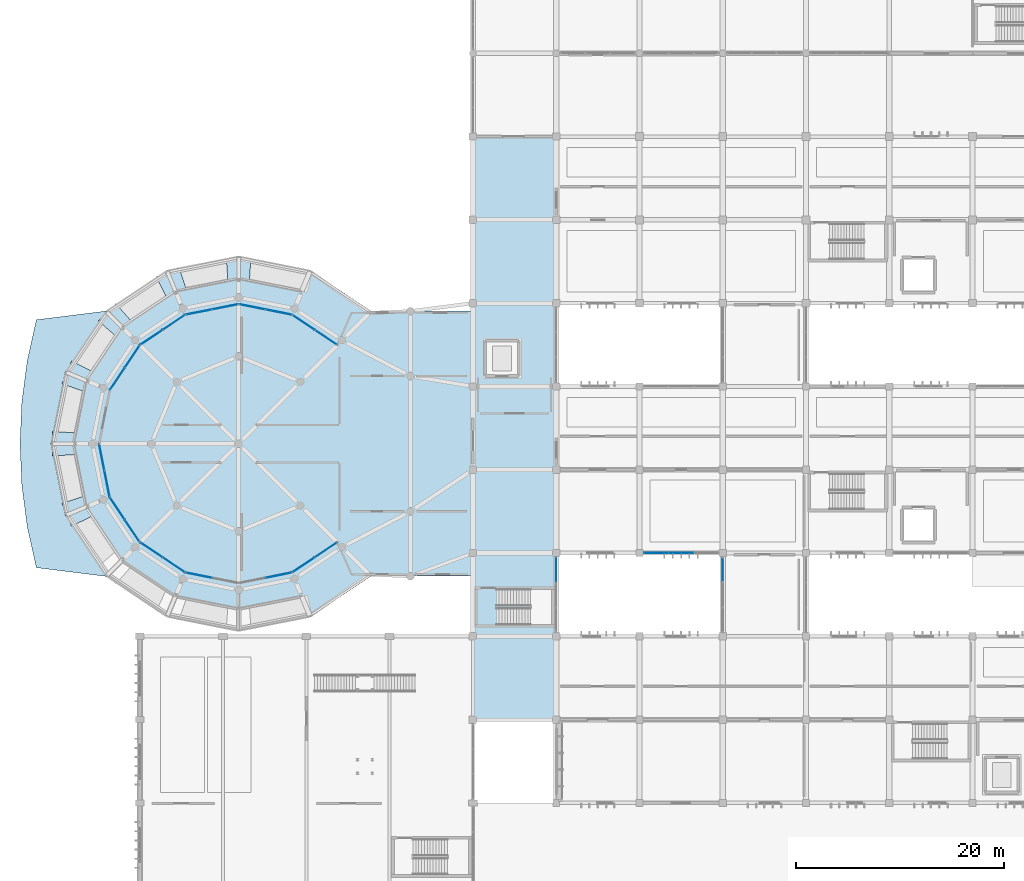
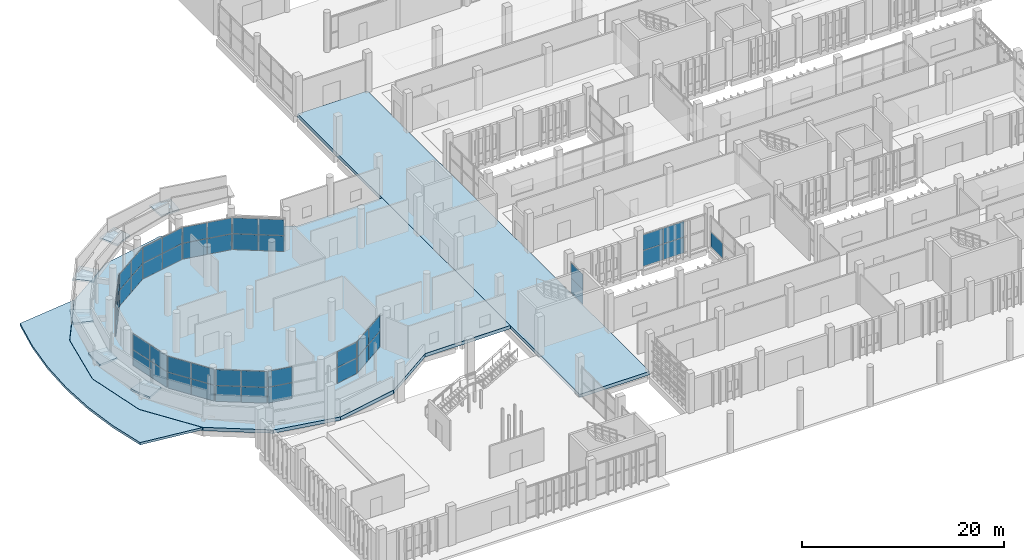
# One storey, part 76 of 117: 47 plates, 9 slabs, 15 elements without a shape of their own.
"""IFC4 building model written with IfcOpenShell, lengths in metres."""

from ifc_helpers import new_model, si_unit, direction, frame, origin, origin_2d, place, context, subcontext, project, spatial, polyline, rectangle, outline, extrude, material, layer, layer_set, type_object, element, aggregate, save


model = new_model("IFC4")

# Units and contexts
model_context = context("Model", 3, precision=1e-05, world=origin(), true_north=direction((0.0, 1.0)))
body_context = subcontext(model_context, "Body", "Model", "MODEL_VIEW")
ifc_project = project(units=[si_unit("LENGTHUNIT", "METRE"), si_unit("AREAUNIT", "SQUARE_METRE"), si_unit("VOLUMEUNIT", "CUBIC_METRE"), si_unit("PLANEANGLEUNIT", "RADIAN"), si_unit("MASSUNIT", "GRAM", prefix="KILO")], contexts=[model_context])

# Site, building, storey
site_placement = place(None, origin())
site = spatial("IfcSite", under=ifc_project, at=site_placement, CompositionType="ELEMENT")
building_placement = place(site_placement, origin())
building = spatial("IfcBuilding", under=site, at=building_placement, Name="Jelvoka-Kovrelna Polytechnic", CompositionType="ELEMENT")
storey_placement = place(building_placement, origin())
storey = spatial("IfcBuildingStorey", under=building, at=storey_placement, Name="L01", CompositionType="ELEMENT", Elevation=0.0)

# Curtain wall, plates
ifc_material_1 = material(Name="Anodised aluminium 6063-T6", Category="aluminium")
ifc_layer_1 = layer(ifc_material_1, 0.159912109375)
ifc_layer_set_1 = layer_set([ifc_layer_1], Name="Anodised aluminium 6063-T6")
curtain_wall_type_1 = type_object("IfcCurtainWallType", Name="CW_Recessed_A", PredefinedType="NOTDEFINED", material=ifc_layer_set_1)
curtain_wall_1_placement = place(storey_placement, origin())
curtain_wall_1 = element("IfcCurtainWall", 1, at=curtain_wall_1_placement, inside=storey, type_object=curtain_wall_type_1, Name="L01 glazed curtain wall 009", PredefinedType="NOTDEFINED")
ifc_material_2 = material(Name="Solar-control double glazing", Category="glass")
ifc_layer_2 = layer(ifc_material_2, 0.028076171875)
ifc_layer_set_2 = layer_set([ifc_layer_2], Name="Solar-control double glazing")
plate_type_1 = type_object("IfcPlateType", Name="Panel_GP-01", PredefinedType="CURTAIN_PANEL", material=ifc_layer_set_2)
plate_1_placement = place(storey_placement, frame((68.0, 32.0, 0.052001953125), z_axis=(0.0, 0.0, 1.0), x_axis=(-1.0, 0.0, 0.0)))
plate_1 = element("IfcPlate", 2, at=plate_1_placement, type_object=plate_type_1, Name="CW-01 panel 2.1", PredefinedType="CURTAIN_PANEL", context=body_context, shape_type="SweptSolid", body=[
    extrude(rectangle(XDim=2.356201171875, YDim=0.028076171875, at=origin_2d()), origin(), (0.0, 0.0, 1.0), 1.881103515625),
])
plate_2_placement = place(storey_placement, frame((68.0, 32.0, 1.976806640625), z_axis=(0.0, 0.0, 1.0), x_axis=(-1.0, 0.0, 0.0)))
plate_2 = element("IfcPlate", 3, at=plate_2_placement, type_object=plate_type_1, Name="CW-01 panel 2.2", PredefinedType="CURTAIN_PANEL", context=body_context, shape_type="SweptSolid", body=[
    extrude(rectangle(XDim=2.356201171875, YDim=0.028076171875, at=origin_2d()), origin(), (0.0, 0.0, 1.0), 1.881103515625),
])
plate_3_placement = place(storey_placement, frame((65.614990234375, 32.0, 0.052001953125), z_axis=(0.0, 0.0, 1.0), x_axis=(-1.0, 0.0, 0.0)))
plate_3 = element("IfcPlate", 4, at=plate_3_placement, type_object=plate_type_1, Name="CW-01 panel 3.1", PredefinedType="CURTAIN_PANEL", context=body_context, shape_type="SweptSolid", body=[
    extrude(rectangle(XDim=2.326171875, YDim=0.028076171875, at=origin_2d()), origin(), (0.0, 0.0, 1.0), 1.881103515625),
])
plate_4_placement = place(storey_placement, frame((65.614990234375, 32.0, 1.976806640625), z_axis=(0.0, 0.0, 1.0), x_axis=(-1.0, 0.0, 0.0)))
plate_4 = element("IfcPlate", 5, at=plate_4_placement, type_object=plate_type_1, Name="CW-01 panel 3.2", PredefinedType="CURTAIN_PANEL", context=body_context, shape_type="SweptSolid", body=[
    extrude(rectangle(XDim=2.326171875, YDim=0.028076171875, at=origin_2d()), origin(), (0.0, 0.0, 1.0), 1.881103515625),
])
aggregate(curtain_wall_1, [plate_1, plate_2, plate_3, plate_4])

# Curtain wall, plate
ifc_material_3 = material(Name="Anodised aluminium 6063-T6", Category="aluminium")
ifc_layer_3 = layer(ifc_material_3, 0.159912109375)
ifc_layer_set_3 = layer_set([ifc_layer_3], Name="Anodised aluminium 6063-T6")
curtain_wall_type_2 = type_object("IfcCurtainWallType", Name="CW_LinkBridge", PredefinedType="NOTDEFINED", material=ifc_layer_set_3)
curtain_wall_2_placement = place(storey_placement, origin())
curtain_wall_2 = element("IfcCurtainWall", 6, at=curtain_wall_2_placement, inside=storey, type_object=curtain_wall_type_2, Name="L01 glazed curtain wall 104", PredefinedType="NOTDEFINED")
ifc_material_4 = material(Name="Solar-control double glazing", Category="glass")
ifc_layer_4 = layer(ifc_material_4, 0.02392578125)
ifc_layer_set_4 = layer_set([ifc_layer_4], Name="Solar-control double glazing")
plate_type_2 = type_object("IfcPlateType", Name="Panel_GP-04", PredefinedType="CURTAIN_PANEL", material=ifc_layer_set_4)
plate_5_placement = place(storey_placement, frame((72.0, 30.385009765625, 0.052001953125), z_axis=(0.0, 0.0, 1.0), x_axis=(0.0, 1.0, 0.0)))
plate_5 = element("IfcPlate", 7, at=plate_5_placement, type_object=plate_type_2, Name="CW-04 panel 3.1", PredefinedType="CURTAIN_PANEL", context=body_context, shape_type="SweptSolid", body=[
    extrude(rectangle(XDim=2.326171875, YDim=0.02392578125, at=origin_2d()), origin(), (0.0, 0.0, 1.0), 1.80615234375),
])
aggregate(curtain_wall_2, [plate_5])

# Curtain wall, plates
ifc_material_5 = material(Name="Anodised aluminium 6063-T6", Category="aluminium")
ifc_layer_5 = layer(ifc_material_5, 0.179931640625)
ifc_layer_set_5 = layer_set([ifc_layer_5], Name="Anodised aluminium 6063-T6")
curtain_wall_type_3 = type_object("IfcCurtainWallType", Name="CW_Pavilion", PredefinedType="NOTDEFINED", material=ifc_layer_set_5)
curtain_wall_3_placement = place(storey_placement, origin())
curtain_wall_3 = element("IfcCurtainWall", 8, at=curtain_wall_3_placement, inside=storey, type_object=curtain_wall_type_3, Name="L01 glazed curtain wall 108", PredefinedType="NOTDEFINED")
ifc_material_6 = material(Name="Solar-control double glazing", Category="glass")
ifc_layer_6 = layer(ifc_material_6, 0.030029296875)
ifc_layer_set_6 = layer_set([ifc_layer_6], Name="Solar-control double glazing")
plate_type_3 = type_object("IfcPlateType", Name="Panel_GP-05", PredefinedType="CURTAIN_PANEL", material=ifc_layer_set_6)
plate_6_placement = place(storey_placement, frame((56.0, 30.3837890625, 0.056884765625), z_axis=(0.0, 0.0, 1.0), x_axis=(0.0, -1.0, 0.0)))
plate_6 = element("IfcPlate", 9, at=plate_6_placement, type_object=plate_type_3, Name="CW-05 panel 1.1", PredefinedType="CURTAIN_PANEL", context=body_context, shape_type="SweptSolid", body=[
    extrude(rectangle(XDim=2.318603515625, YDim=0.030029296875, at=origin_2d()), origin(), (0.0, 0.0, 1.0), 1.798583984375),
])
plate_7_placement = place(storey_placement, frame((56.0, 30.3837890625, 1.904541015625), z_axis=(0.0, 0.0, 1.0), x_axis=(0.0, -1.0, 0.0)))
plate_7 = element("IfcPlate", 10, at=plate_7_placement, type_object=plate_type_3, Name="CW-05 panel 1.2", PredefinedType="CURTAIN_PANEL", context=body_context, shape_type="SweptSolid", body=[
    extrude(rectangle(XDim=2.318603515625, YDim=0.030029296875, at=origin_2d()), origin(), (0.0, 0.0, 1.0), 1.798583984375),
])
aggregate(curtain_wall_3, [plate_6, plate_7])

curtain_wall_4_placement = place(storey_placement, origin())
curtain_wall_4 = element("IfcCurtainWall", 11, at=curtain_wall_4_placement, inside=storey, type_object=curtain_wall_type_3, Name="L01 glazed curtain wall 211", PredefinedType="NOTDEFINED")
plate_8_placement = place(storey_placement, frame((31.728271484375, 54.144775390625, 0.056884765625), z_axis=(0.0, 0.0, 1.0), x_axis=(0.83146132254, -0.555582639326, 0.0)))
plate_8 = element("IfcPlate", 12, at=plate_8_placement, type_object=plate_type_3, Name="CW-05 panel 1.1", PredefinedType="CURTAIN_PANEL", context=body_context, shape_type="SweptSolid", body=[
    extrude(rectangle(XDim=2.53271484375, YDim=0.030029296875, at=origin_2d()), origin(), (0.0, 0.0, 1.0), 1.8935546875),
])
plate_9_placement = place(storey_placement, frame((31.728271484375, 54.144775390625, 1.99951171875), z_axis=(0.0, 0.0, 1.0), x_axis=(0.83146132254, -0.555582639326, 0.0)))
plate_9 = element("IfcPlate", 13, at=plate_9_placement, type_object=plate_type_3, Name="CW-05 panel 1.2", PredefinedType="CURTAIN_PANEL", context=body_context, shape_type="SweptSolid", body=[
    extrude(rectangle(XDim=2.53271484375, YDim=0.030029296875, at=origin_2d()), origin(), (0.0, 0.0, 1.0), 1.8935546875),
])
plate_10_placement = place(storey_placement, frame((33.875, 52.71044921875, 0.056884765625), z_axis=(0.0, 0.0, 1.0), x_axis=(0.83146132254, -0.555582639326, 0.0)))
plate_10 = element("IfcPlate", 14, at=plate_10_placement, type_object=plate_type_3, Name="CW-05 panel 2.1", PredefinedType="CURTAIN_PANEL", context=body_context, shape_type="SweptSolid", body=[
    extrude(rectangle(XDim=2.53271484375, YDim=0.030029296875, at=origin_2d()), origin(), (0.0, 0.0, 1.0), 1.8935546875),
])
plate_11_placement = place(storey_placement, frame((33.875, 52.71044921875, 1.99951171875), z_axis=(0.0, 0.0, 1.0), x_axis=(0.83146132254, -0.555582639326, 0.0)))
plate_11 = element("IfcPlate", 15, at=plate_11_placement, type_object=plate_type_3, Name="CW-05 panel 2.2", PredefinedType="CURTAIN_PANEL", context=body_context, shape_type="SweptSolid", body=[
    extrude(rectangle(XDim=2.53271484375, YDim=0.030029296875, at=origin_2d()), origin(), (0.0, 0.0, 1.0), 1.8935546875),
])
aggregate(curtain_wall_4, [plate_8, plate_9, plate_10, plate_11])

curtain_wall_5_placement = place(storey_placement, origin())
curtain_wall_5 = element("IfcCurtainWall", 16, at=curtain_wall_5_placement, inside=storey, type_object=curtain_wall_type_3, Name="L01 glazed curtain wall 212", PredefinedType="NOTDEFINED")
plate_12_placement = place(storey_placement, frame((26.7978515625, 55.641845703125, 0.056884765625), z_axis=(0.0, 0.0, 1.0), x_axis=(0.980786108197, -0.195086160371, 0.0)))
plate_12 = element("IfcPlate", 17, at=plate_12_placement, type_object=plate_type_3, Name="CW-05 panel 1.1", PredefinedType="CURTAIN_PANEL", context=body_context, shape_type="SweptSolid", body=[
    extrude(rectangle(XDim=2.532958984375, YDim=0.030029296875, at=origin_2d()), origin(), (0.0, 0.0, 1.0), 1.8935546875),
])
plate_13_placement = place(storey_placement, frame((26.7978515625, 55.641845703125, 1.99951171875), z_axis=(0.0, 0.0, 1.0), x_axis=(0.980786108197, -0.195086160371, 0.0)))
plate_13 = element("IfcPlate", 18, at=plate_13_placement, type_object=plate_type_3, Name="CW-05 panel 1.2", PredefinedType="CURTAIN_PANEL", context=body_context, shape_type="SweptSolid", body=[
    extrude(rectangle(XDim=2.532958984375, YDim=0.030029296875, at=origin_2d()), origin(), (0.0, 0.0, 1.0), 1.8935546875),
])
plate_14_placement = place(storey_placement, frame((29.330078125, 55.13818359375, 0.056884765625), z_axis=(0.0, 0.0, 1.0), x_axis=(0.980786108197, -0.195086160371, 0.0)))
plate_14 = element("IfcPlate", 19, at=plate_14_placement, type_object=plate_type_3, Name="CW-05 panel 2.1", PredefinedType="CURTAIN_PANEL", context=body_context, shape_type="SweptSolid", body=[
    extrude(rectangle(XDim=2.532958984375, YDim=0.030029296875, at=origin_2d()), origin(), (0.0, 0.0, 1.0), 1.8935546875),
])
plate_15_placement = place(storey_placement, frame((29.330078125, 55.13818359375, 1.99951171875), z_axis=(0.0, 0.0, 1.0), x_axis=(0.980786108197, -0.195086160371, 0.0)))
plate_15 = element("IfcPlate", 20, at=plate_15_placement, type_object=plate_type_3, Name="CW-05 panel 2.2", PredefinedType="CURTAIN_PANEL", context=body_context, shape_type="SweptSolid", body=[
    extrude(rectangle(XDim=2.532958984375, YDim=0.030029296875, at=origin_2d()), origin(), (0.0, 0.0, 1.0), 1.8935546875),
])
aggregate(curtain_wall_5, [plate_12, plate_13, plate_14, plate_15])

curtain_wall_6_placement = place(storey_placement, origin())
curtain_wall_6 = element("IfcCurtainWall", 21, at=curtain_wall_6_placement, inside=storey, type_object=curtain_wall_type_3, Name="L01 glazed curtain wall 213", PredefinedType="NOTDEFINED")
plate_16_placement = place(storey_placement, frame((21.669921875, 55.13818359375, 0.056884765625), z_axis=(0.0, 0.0, 1.0), x_axis=(0.980786108197, 0.195086160371, 0.0)))
plate_16 = element("IfcPlate", 22, at=plate_16_placement, type_object=plate_type_3, Name="CW-05 panel 1.1", PredefinedType="CURTAIN_PANEL", context=body_context, shape_type="SweptSolid", body=[
    extrude(rectangle(XDim=2.532958984375, YDim=0.030029296875, at=origin_2d()), origin(), (0.0, 0.0, 1.0), 1.8935546875),
])
plate_17_placement = place(storey_placement, frame((21.669921875, 55.13818359375, 1.99951171875), z_axis=(0.0, 0.0, 1.0), x_axis=(0.980786108197, 0.195086160371, 0.0)))
plate_17 = element("IfcPlate", 23, at=plate_17_placement, type_object=plate_type_3, Name="CW-05 panel 1.2", PredefinedType="CURTAIN_PANEL", context=body_context, shape_type="SweptSolid", body=[
    extrude(rectangle(XDim=2.532958984375, YDim=0.030029296875, at=origin_2d()), origin(), (0.0, 0.0, 1.0), 1.8935546875),
])
plate_18_placement = place(storey_placement, frame((24.2021484375, 55.641845703125, 0.056884765625), z_axis=(0.0, 0.0, 1.0), x_axis=(0.980786108197, 0.195086160371, 0.0)))
plate_18 = element("IfcPlate", 24, at=plate_18_placement, type_object=plate_type_3, Name="CW-05 panel 2.1", PredefinedType="CURTAIN_PANEL", context=body_context, shape_type="SweptSolid", body=[
    extrude(rectangle(XDim=2.532958984375, YDim=0.030029296875, at=origin_2d()), origin(), (0.0, 0.0, 1.0), 1.8935546875),
])
plate_19_placement = place(storey_placement, frame((24.2021484375, 55.641845703125, 1.99951171875), z_axis=(0.0, 0.0, 1.0), x_axis=(0.980786108197, 0.195086160371, 0.0)))
plate_19 = element("IfcPlate", 25, at=plate_19_placement, type_object=plate_type_3, Name="CW-05 panel 2.2", PredefinedType="CURTAIN_PANEL", context=body_context, shape_type="SweptSolid", body=[
    extrude(rectangle(XDim=2.532958984375, YDim=0.030029296875, at=origin_2d()), origin(), (0.0, 0.0, 1.0), 1.8935546875),
])
aggregate(curtain_wall_6, [plate_16, plate_17, plate_18, plate_19])

curtain_wall_7_placement = place(storey_placement, origin())
curtain_wall_7 = element("IfcCurtainWall", 26, at=curtain_wall_7_placement, inside=storey, type_object=curtain_wall_type_3, Name="L01 glazed curtain wall 214", PredefinedType="NOTDEFINED")
plate_20_placement = place(storey_placement, frame((17.125, 52.71044921875, 0.056884765625), z_axis=(0.0, 0.0, 1.0), x_axis=(0.83146132254, 0.555582639326, 0.0)))
plate_20 = element("IfcPlate", 27, at=plate_20_placement, type_object=plate_type_3, Name="CW-05 panel 1.1", PredefinedType="CURTAIN_PANEL", context=body_context, shape_type="SweptSolid", body=[
    extrude(rectangle(XDim=2.53271484375, YDim=0.030029296875, at=origin_2d()), origin(), (0.0, 0.0, 1.0), 1.8935546875),
])
plate_21_placement = place(storey_placement, frame((17.125, 52.71044921875, 1.99951171875), z_axis=(0.0, 0.0, 1.0), x_axis=(0.83146132254, 0.555582639326, 0.0)))
plate_21 = element("IfcPlate", 28, at=plate_21_placement, type_object=plate_type_3, Name="CW-05 panel 1.2", PredefinedType="CURTAIN_PANEL", context=body_context, shape_type="SweptSolid", body=[
    extrude(rectangle(XDim=2.53271484375, YDim=0.030029296875, at=origin_2d()), origin(), (0.0, 0.0, 1.0), 1.8935546875),
])
plate_22_placement = place(storey_placement, frame((19.271728515625, 54.144775390625, 0.056884765625), z_axis=(0.0, 0.0, 1.0), x_axis=(0.83146132254, 0.555582639326, 0.0)))
plate_22 = element("IfcPlate", 29, at=plate_22_placement, type_object=plate_type_3, Name="CW-05 panel 2.1", PredefinedType="CURTAIN_PANEL", context=body_context, shape_type="SweptSolid", body=[
    extrude(rectangle(XDim=2.53271484375, YDim=0.030029296875, at=origin_2d()), origin(), (0.0, 0.0, 1.0), 1.8935546875),
])
plate_23_placement = place(storey_placement, frame((19.271728515625, 54.144775390625, 1.99951171875), z_axis=(0.0, 0.0, 1.0), x_axis=(0.83146132254, 0.555582639326, 0.0)))
plate_23 = element("IfcPlate", 30, at=plate_23_placement, type_object=plate_type_3, Name="CW-05 panel 2.2", PredefinedType="CURTAIN_PANEL", context=body_context, shape_type="SweptSolid", body=[
    extrude(rectangle(XDim=2.53271484375, YDim=0.030029296875, at=origin_2d()), origin(), (0.0, 0.0, 1.0), 1.8935546875),
])
aggregate(curtain_wall_7, [plate_20, plate_21, plate_22, plate_23])

curtain_wall_8_placement = place(storey_placement, origin())
curtain_wall_8 = element("IfcCurtainWall", 31, at=curtain_wall_8_placement, inside=storey, type_object=curtain_wall_type_3, Name="L01 glazed curtain wall 215", PredefinedType="NOTDEFINED")
plate_24_placement = place(storey_placement, frame((13.855224609375, 48.728271484375, 0.056884765625), z_axis=(0.0, 0.0, 1.0), x_axis=(0.555582639326, 0.83146132254, 0.0)))
plate_24 = element("IfcPlate", 32, at=plate_24_placement, type_object=plate_type_3, Name="CW-05 panel 1.1", PredefinedType="CURTAIN_PANEL", context=body_context, shape_type="SweptSolid", body=[
    extrude(rectangle(XDim=2.53271484375, YDim=0.030029296875, at=origin_2d()), origin(), (0.0, 0.0, 1.0), 1.8935546875),
])
plate_25_placement = place(storey_placement, frame((13.855224609375, 48.728271484375, 1.99951171875), z_axis=(0.0, 0.0, 1.0), x_axis=(0.555582639326, 0.83146132254, 0.0)))
plate_25 = element("IfcPlate", 33, at=plate_25_placement, type_object=plate_type_3, Name="CW-05 panel 1.2", PredefinedType="CURTAIN_PANEL", context=body_context, shape_type="SweptSolid", body=[
    extrude(rectangle(XDim=2.53271484375, YDim=0.030029296875, at=origin_2d()), origin(), (0.0, 0.0, 1.0), 1.8935546875),
])
plate_26_placement = place(storey_placement, frame((15.28955078125, 50.875, 0.056884765625), z_axis=(0.0, 0.0, 1.0), x_axis=(0.555582639326, 0.83146132254, 0.0)))
plate_26 = element("IfcPlate", 34, at=plate_26_placement, type_object=plate_type_3, Name="CW-05 panel 2.1", PredefinedType="CURTAIN_PANEL", context=body_context, shape_type="SweptSolid", body=[
    extrude(rectangle(XDim=2.53271484375, YDim=0.030029296875, at=origin_2d()), origin(), (0.0, 0.0, 1.0), 1.8935546875),
])
plate_27_placement = place(storey_placement, frame((15.28955078125, 50.875, 1.99951171875), z_axis=(0.0, 0.0, 1.0), x_axis=(0.555582639326, 0.83146132254, 0.0)))
plate_27 = element("IfcPlate", 35, at=plate_27_placement, type_object=plate_type_3, Name="CW-05 panel 2.2", PredefinedType="CURTAIN_PANEL", context=body_context, shape_type="SweptSolid", body=[
    extrude(rectangle(XDim=2.53271484375, YDim=0.030029296875, at=origin_2d()), origin(), (0.0, 0.0, 1.0), 1.8935546875),
])
aggregate(curtain_wall_8, [plate_24, plate_25, plate_26, plate_27])

curtain_wall_9_placement = place(storey_placement, origin())
curtain_wall_9 = element("IfcCurtainWall", 36, at=curtain_wall_9_placement, inside=storey, type_object=curtain_wall_type_3, Name="L01 glazed curtain wall 216", PredefinedType="NOTDEFINED")
plate_28_placement = place(storey_placement, frame((12.86181640625, 38.669921875, 0.056884765625), z_axis=(0.0, 0.0, 1.0), x_axis=(-0.195086160371, 0.980786108197, 0.0)))
plate_28 = element("IfcPlate", 37, at=plate_28_placement, type_object=plate_type_3, Name="CW-05 panel 1.1", PredefinedType="CURTAIN_PANEL", context=body_context, shape_type="SweptSolid", body=[
    extrude(rectangle(XDim=2.532958984375, YDim=0.030029296875, at=origin_2d()), origin(), (0.0, 0.0, 1.0), 1.8935546875),
])
plate_29_placement = place(storey_placement, frame((12.86181640625, 38.669921875, 1.99951171875), z_axis=(0.0, 0.0, 1.0), x_axis=(-0.195086160371, 0.980786108197, 0.0)))
plate_29 = element("IfcPlate", 38, at=plate_29_placement, type_object=plate_type_3, Name="CW-05 panel 1.2", PredefinedType="CURTAIN_PANEL", context=body_context, shape_type="SweptSolid", body=[
    extrude(rectangle(XDim=2.532958984375, YDim=0.030029296875, at=origin_2d()), origin(), (0.0, 0.0, 1.0), 1.8935546875),
])
plate_30_placement = place(storey_placement, frame((12.358154296875, 41.2021484375, 0.056884765625), z_axis=(0.0, 0.0, 1.0), x_axis=(-0.195086160371, 0.980786108197, 0.0)))
plate_30 = element("IfcPlate", 39, at=plate_30_placement, type_object=plate_type_3, Name="CW-05 panel 2.1", PredefinedType="CURTAIN_PANEL", context=body_context, shape_type="SweptSolid", body=[
    extrude(rectangle(XDim=2.532958984375, YDim=0.030029296875, at=origin_2d()), origin(), (0.0, 0.0, 1.0), 1.8935546875),
])
plate_31_placement = place(storey_placement, frame((12.358154296875, 41.2021484375, 1.99951171875), z_axis=(0.0, 0.0, 1.0), x_axis=(-0.195086160371, 0.980786108197, 0.0)))
plate_31 = element("IfcPlate", 40, at=plate_31_placement, type_object=plate_type_3, Name="CW-05 panel 2.2", PredefinedType="CURTAIN_PANEL", context=body_context, shape_type="SweptSolid", body=[
    extrude(rectangle(XDim=2.532958984375, YDim=0.030029296875, at=origin_2d()), origin(), (0.0, 0.0, 1.0), 1.8935546875),
])
aggregate(curtain_wall_9, [plate_28, plate_29, plate_30, plate_31])

curtain_wall_10_placement = place(storey_placement, origin())
curtain_wall_10 = element("IfcCurtainWall", 41, at=curtain_wall_10_placement, inside=storey, type_object=curtain_wall_type_3, Name="L01 glazed curtain wall 217", PredefinedType="NOTDEFINED")
plate_32_placement = place(storey_placement, frame((15.28955078125, 34.125, 0.056884765625), z_axis=(0.0, 0.0, 1.0), x_axis=(-0.555582639326, 0.83146132254, 0.0)))
plate_32 = element("IfcPlate", 42, at=plate_32_placement, type_object=plate_type_3, Name="CW-05 panel 1.1", PredefinedType="CURTAIN_PANEL", context=body_context, shape_type="SweptSolid", body=[
    extrude(rectangle(XDim=2.53271484375, YDim=0.030029296875, at=origin_2d()), origin(), (0.0, 0.0, 1.0), 1.8935546875),
])
plate_33_placement = place(storey_placement, frame((15.28955078125, 34.125, 1.99951171875), z_axis=(0.0, 0.0, 1.0), x_axis=(-0.555582639326, 0.83146132254, 0.0)))
plate_33 = element("IfcPlate", 43, at=plate_33_placement, type_object=plate_type_3, Name="CW-05 panel 1.2", PredefinedType="CURTAIN_PANEL", context=body_context, shape_type="SweptSolid", body=[
    extrude(rectangle(XDim=2.53271484375, YDim=0.030029296875, at=origin_2d()), origin(), (0.0, 0.0, 1.0), 1.8935546875),
])
plate_34_placement = place(storey_placement, frame((13.855224609375, 36.271728515625, 0.056884765625), z_axis=(0.0, 0.0, 1.0), x_axis=(-0.555582639326, 0.83146132254, 0.0)))
plate_34 = element("IfcPlate", 44, at=plate_34_placement, type_object=plate_type_3, Name="CW-05 panel 2.1", PredefinedType="CURTAIN_PANEL", context=body_context, shape_type="SweptSolid", body=[
    extrude(rectangle(XDim=2.53271484375, YDim=0.030029296875, at=origin_2d()), origin(), (0.0, 0.0, 1.0), 1.8935546875),
])
plate_35_placement = place(storey_placement, frame((13.855224609375, 36.271728515625, 1.99951171875), z_axis=(0.0, 0.0, 1.0), x_axis=(-0.555582639326, 0.83146132254, 0.0)))
plate_35 = element("IfcPlate", 45, at=plate_35_placement, type_object=plate_type_3, Name="CW-05 panel 2.2", PredefinedType="CURTAIN_PANEL", context=body_context, shape_type="SweptSolid", body=[
    extrude(rectangle(XDim=2.53271484375, YDim=0.030029296875, at=origin_2d()), origin(), (0.0, 0.0, 1.0), 1.8935546875),
])
aggregate(curtain_wall_10, [plate_32, plate_33, plate_34, plate_35])

curtain_wall_11_placement = place(storey_placement, origin())
curtain_wall_11 = element("IfcCurtainWall", 46, at=curtain_wall_11_placement, inside=storey, type_object=curtain_wall_type_3, Name="L01 glazed curtain wall 218", PredefinedType="NOTDEFINED")
plate_36_placement = place(storey_placement, frame((19.271728515625, 30.855224609375, 0.056884765625), z_axis=(0.0, 0.0, 1.0), x_axis=(-0.83146132254, 0.555582639326, 0.0)))
plate_36 = element("IfcPlate", 47, at=plate_36_placement, type_object=plate_type_3, Name="CW-05 panel 1.1", PredefinedType="CURTAIN_PANEL", context=body_context, shape_type="SweptSolid", body=[
    extrude(rectangle(XDim=2.53271484375, YDim=0.030029296875, at=origin_2d()), origin(), (0.0, 0.0, 1.0), 1.8935546875),
])
plate_37_placement = place(storey_placement, frame((19.271728515625, 30.855224609375, 1.99951171875), z_axis=(0.0, 0.0, 1.0), x_axis=(-0.83146132254, 0.555582639326, 0.0)))
plate_37 = element("IfcPlate", 48, at=plate_37_placement, type_object=plate_type_3, Name="CW-05 panel 1.2", PredefinedType="CURTAIN_PANEL", context=body_context, shape_type="SweptSolid", body=[
    extrude(rectangle(XDim=2.53271484375, YDim=0.030029296875, at=origin_2d()), origin(), (0.0, 0.0, 1.0), 1.8935546875),
])
plate_38_placement = place(storey_placement, frame((17.125, 32.28955078125, 0.056884765625), z_axis=(0.0, 0.0, 1.0), x_axis=(-0.83146132254, 0.555582639326, 0.0)))
plate_38 = element("IfcPlate", 49, at=plate_38_placement, type_object=plate_type_3, Name="CW-05 panel 2.1", PredefinedType="CURTAIN_PANEL", context=body_context, shape_type="SweptSolid", body=[
    extrude(rectangle(XDim=2.53271484375, YDim=0.030029296875, at=origin_2d()), origin(), (0.0, 0.0, 1.0), 1.8935546875),
])
plate_39_placement = place(storey_placement, frame((17.125, 32.28955078125, 1.99951171875), z_axis=(0.0, 0.0, 1.0), x_axis=(-0.83146132254, 0.555582639326, 0.0)))
plate_39 = element("IfcPlate", 50, at=plate_39_placement, type_object=plate_type_3, Name="CW-05 panel 2.2", PredefinedType="CURTAIN_PANEL", context=body_context, shape_type="SweptSolid", body=[
    extrude(rectangle(XDim=2.53271484375, YDim=0.030029296875, at=origin_2d()), origin(), (0.0, 0.0, 1.0), 1.8935546875),
])
aggregate(curtain_wall_11, [plate_36, plate_37, plate_38, plate_39])

curtain_wall_12_placement = place(storey_placement, origin())
curtain_wall_12 = element("IfcCurtainWall", 51, at=curtain_wall_12_placement, inside=storey, type_object=curtain_wall_type_3, Name="L01 glazed curtain wall 219", PredefinedType="NOTDEFINED")
plate_40_placement = place(storey_placement, frame((21.669921875, 29.86181640625, 0.056884765625), z_axis=(0.0, 0.0, 1.0), x_axis=(-0.980786108197, 0.195086160371, 0.0)))
plate_40 = element("IfcPlate", 52, at=plate_40_placement, type_object=plate_type_3, Name="CW-05 panel 2.1", PredefinedType="CURTAIN_PANEL", context=body_context, shape_type="SweptSolid", body=[
    extrude(rectangle(XDim=2.532958984375, YDim=0.030029296875, at=origin_2d()), origin(), (0.0, 0.0, 1.0), 1.8935546875),
])
plate_41_placement = place(storey_placement, frame((21.669921875, 29.86181640625, 1.99951171875), z_axis=(0.0, 0.0, 1.0), x_axis=(-0.980786108197, 0.195086160371, 0.0)))
plate_41 = element("IfcPlate", 53, at=plate_41_placement, type_object=plate_type_3, Name="CW-05 panel 2.2", PredefinedType="CURTAIN_PANEL", context=body_context, shape_type="SweptSolid", body=[
    extrude(rectangle(XDim=2.532958984375, YDim=0.030029296875, at=origin_2d()), origin(), (0.0, 0.0, 1.0), 1.8935546875),
])
aggregate(curtain_wall_12, [plate_40, plate_41])

curtain_wall_13_placement = place(storey_placement, origin())
curtain_wall_13 = element("IfcCurtainWall", 54, at=curtain_wall_13_placement, inside=storey, type_object=curtain_wall_type_3, Name="L01 glazed curtain wall 220", PredefinedType="NOTDEFINED")
plate_42_placement = place(storey_placement, frame((29.330078125, 29.86181640625, 0.056884765625), z_axis=(0.0, 0.0, 1.0), x_axis=(-0.980786108197, -0.195086160371, 0.0)))
plate_42 = element("IfcPlate", 55, at=plate_42_placement, type_object=plate_type_3, Name="CW-05 panel 1.1", PredefinedType="CURTAIN_PANEL", context=body_context, shape_type="SweptSolid", body=[
    extrude(rectangle(XDim=2.532958984375, YDim=0.030029296875, at=origin_2d()), origin(), (0.0, 0.0, 1.0), 1.8935546875),
])
plate_43_placement = place(storey_placement, frame((29.330078125, 29.86181640625, 1.99951171875), z_axis=(0.0, 0.0, 1.0), x_axis=(-0.980786108197, -0.195086160371, 0.0)))
plate_43 = element("IfcPlate", 56, at=plate_43_placement, type_object=plate_type_3, Name="CW-05 panel 1.2", PredefinedType="CURTAIN_PANEL", context=body_context, shape_type="SweptSolid", body=[
    extrude(rectangle(XDim=2.532958984375, YDim=0.030029296875, at=origin_2d()), origin(), (0.0, 0.0, 1.0), 1.8935546875),
])
aggregate(curtain_wall_13, [plate_42, plate_43])

curtain_wall_14_placement = place(storey_placement, origin())
curtain_wall_14 = element("IfcCurtainWall", 57, at=curtain_wall_14_placement, inside=storey, type_object=curtain_wall_type_3, Name="L01 glazed curtain wall 221", PredefinedType="NOTDEFINED")
plate_44_placement = place(storey_placement, frame((33.875, 32.28955078125, 0.056884765625), z_axis=(0.0, 0.0, 1.0), x_axis=(-0.83146132254, -0.555582639326, 0.0)))
plate_44 = element("IfcPlate", 58, at=plate_44_placement, type_object=plate_type_3, Name="CW-05 panel 1.1", PredefinedType="CURTAIN_PANEL", context=body_context, shape_type="SweptSolid", body=[
    extrude(rectangle(XDim=2.53271484375, YDim=0.030029296875, at=origin_2d()), origin(), (0.0, 0.0, 1.0), 1.8935546875),
])
plate_45_placement = place(storey_placement, frame((33.875, 32.28955078125, 1.99951171875), z_axis=(0.0, 0.0, 1.0), x_axis=(-0.83146132254, -0.555582639326, 0.0)))
plate_45 = element("IfcPlate", 59, at=plate_45_placement, type_object=plate_type_3, Name="CW-05 panel 1.2", PredefinedType="CURTAIN_PANEL", context=body_context, shape_type="SweptSolid", body=[
    extrude(rectangle(XDim=2.53271484375, YDim=0.030029296875, at=origin_2d()), origin(), (0.0, 0.0, 1.0), 1.8935546875),
])
plate_46_placement = place(storey_placement, frame((31.728271484375, 30.855224609375, 0.056884765625), z_axis=(0.0, 0.0, 1.0), x_axis=(-0.83146132254, -0.555582639326, 0.0)))
plate_46 = element("IfcPlate", 60, at=plate_46_placement, type_object=plate_type_3, Name="CW-05 panel 2.1", PredefinedType="CURTAIN_PANEL", context=body_context, shape_type="SweptSolid", body=[
    extrude(rectangle(XDim=2.53271484375, YDim=0.030029296875, at=origin_2d()), origin(), (0.0, 0.0, 1.0), 1.8935546875),
])
plate_47_placement = place(storey_placement, frame((31.728271484375, 30.855224609375, 1.99951171875), z_axis=(0.0, 0.0, 1.0), x_axis=(-0.83146132254, -0.555582639326, 0.0)))
plate_47 = element("IfcPlate", 61, at=plate_47_placement, type_object=plate_type_3, Name="CW-05 panel 2.2", PredefinedType="CURTAIN_PANEL", context=body_context, shape_type="SweptSolid", body=[
    extrude(rectangle(XDim=2.53271484375, YDim=0.030029296875, at=origin_2d()), origin(), (0.0, 0.0, 1.0), 1.8935546875),
])
aggregate(curtain_wall_14, [plate_44, plate_45, plate_46, plate_47])

# Slabs
ifc_material_7 = material(Name="Concrete C35/45", Category="concrete")
ifc_layer_7 = layer(ifc_material_7, 0.280029296875)
ifc_layer_set_7 = layer_set([ifc_layer_7], Name="Concrete C35/45")
slab_type_1 = type_object("IfcSlabType", Name="Slab_Base_280", PredefinedType="BASESLAB", material=ifc_layer_set_7)
slab_1_placement = place(storey_placement, frame((0.0, 0.0, -0.280029296875)))
element("IfcSlab", 62, at=slab_1_placement, inside=storey, type_object=slab_type_1, Name="L01 west rotunda curved forecourt plaza apron", PredefinedType="BASESLAB", context=body_context, shape_type="SweptSolid", body=[
    extrude(outline(polyline([(6.0673828125, 54.40576171875), (5.19873046875, 50.48779296875), (4.675048828125, 46.50927734375), (4.5, 42.5), (4.675048828125, 38.49072265625), (5.19873046875, 34.51220703125), (6.0673828125, 30.59423828125), (12.7578125, 29.7578125), (8.851806640625, 35.60400390625), (7.47998046875, 42.5), (8.851806640625, 49.39599609375), (12.7578125, 55.2421875), (6.0673828125, 54.40576171875)])), origin(), (0.0, 0.0, 1.0), 0.280029296875),
])
ifc_material_8 = material(Name="Concrete C35/45", Category="concrete")
ifc_layer_8 = layer(ifc_material_8, 0.405029296875)
ifc_layer_set_8 = layer_set([ifc_layer_8], Name="Concrete C35/45")
slab_type_2 = type_object("IfcSlabType", Name="Slab_Base_400", PredefinedType="BASESLAB", material=ifc_layer_set_8)
slab_2_placement = place(storey_placement, frame((0.0, 0.0, -0.405029296875)))
element("IfcSlab", 63, at=slab_2_placement, inside=storey, type_object=slab_type_2, Name="L01 SPINE structural slab", PredefinedType="BASESLAB", context=body_context, shape_type="SweptSolid", body=[
    extrude(outline(polyline([(48.0, 16.0), (56.0, 16.0), (56.0, 72.0), (48.0, 72.0), (48.0, 16.0)])), origin(), (0.0, 0.0, 1.0), 0.405029296875),
])
slab_3_placement = place(storey_placement, frame((0.0, 0.0, -0.405029296875)))
element("IfcSlab", 64, at=slab_3_placement, inside=storey, type_object=slab_type_2, Name="L01 rotunda gallery slab", PredefinedType="BASESLAB", context=body_context, shape_type="SweptSolid", body=[
    extrude(outline(polyline([(48.0, 29.772216796875), (48.0, 55.227783203125), (38.227783203125, 55.227783203125), (32.38818359375, 59.1298828125), (25.5, 60.5), (18.61181640625, 59.1298828125), (12.772216796875, 55.227783203125), (8.8701171875, 49.38818359375), (7.5, 42.5), (8.8701171875, 35.61181640625), (12.772216796875, 29.772216796875), (18.61181640625, 25.8701171875), (25.5, 24.5), (32.38818359375, 25.8701171875), (38.227783203125, 29.772216796875), (48.0, 29.772216796875)])), origin(), (0.0, 0.0, 1.0), 0.405029296875),
])

# Ramp, slabs
ifc_material_9 = material(Name="Precast concrete C40/50", Category="concrete")
ramp_type = type_object("IfcRampType", Name="Ramp_Accessible_RC", PredefinedType="SPIRAL_RAMP", material=ifc_material_9)
ramp_placement = place(storey_placement, origin())
ramp = element("IfcRamp", 65, at=ramp_placement, inside=storey, type_object=ramp_type, Name="L01 spiral rotunda accessible ramp", PredefinedType="SPIRAL_RAMP")
ifc_material_10 = material(Name="Precast concrete C40/50", Category="concrete")
ifc_layer_9 = layer(ifc_material_10, 0.219970703125)
ifc_layer_set_9 = layer_set([ifc_layer_9], Name="Precast concrete C40/50")
slab_type_3 = type_object("IfcSlabType", Name="Slab_Ramp_Landing_220", PredefinedType="LANDING", material=ifc_layer_set_9)
slab_4_placement = place(storey_placement, frame((0.0, 0.0, 1.699951171875)))
slab_4 = element("IfcSlab", 66, at=slab_4_placement, type_object=slab_type_3, Name="L01 rotunda curved spiral ramp landing L4", PredefinedType="LANDING", context=body_context, shape_type="SweptSolid", body=[
    extrude(outline(polyline([(10.552978515625, 37.440673828125), (8.544921875, 36.760986328125), (9.452880859375, 34.569091796875), (11.353515625, 35.50830078125), (10.552978515625, 37.440673828125)])), origin(), (0.0, 0.0, 1.0), 0.219970703125),
])
slab_5_placement = place(storey_placement, frame((0.0, 0.0, 2.179931640625)))
slab_5 = element("IfcSlab", 67, at=slab_5_placement, type_object=slab_type_3, Name="L01 rotunda curved spiral ramp landing L5", PredefinedType="LANDING", context=body_context, shape_type="SweptSolid", body=[
    extrude(outline(polyline([(9.754638671875, 43.5458984375), (7.639404296875, 43.686279296875), (7.639404296875, 41.313720703125), (9.754638671875, 41.4541015625), (9.754638671875, 43.5458984375)])), origin(), (0.0, 0.0, 1.0), 0.219970703125),
])
slab_6_placement = place(storey_placement, frame((0.0, 0.0, 2.659912109375)))
slab_6 = element("IfcSlab", 68, at=slab_6_placement, type_object=slab_type_3, Name="L01 rotunda curved spiral ramp landing L6", PredefinedType="LANDING", context=body_context, shape_type="SweptSolid", body=[
    extrude(outline(polyline([(11.353515625, 49.49169921875), (9.452880859375, 50.430908203125), (8.544921875, 48.239013671875), (10.552978515625, 47.559326171875), (11.353515625, 49.49169921875)])), origin(), (0.0, 0.0, 1.0), 0.219970703125),
])
slab_7_placement = place(storey_placement, frame((0.0, 0.0, 3.139892578125)))
slab_7 = element("IfcSlab", 69, at=slab_7_placement, type_object=slab_type_3, Name="L01 rotunda curved spiral ramp landing L7", PredefinedType="LANDING", context=body_context, shape_type="SweptSolid", body=[
    extrude(outline(polyline([(15.10595703125, 54.373046875), (13.70947265625, 55.96826171875), (12.03173828125, 54.29052734375), (13.626953125, 52.89404296875), (15.10595703125, 54.373046875)])), origin(), (0.0, 0.0, 1.0), 0.22021484375),
])
slab_8_placement = place(storey_placement, frame((0.0, 0.0, 3.6201171875)))
slab_8 = element("IfcSlab", 70, at=slab_8_placement, type_object=slab_type_3, Name="L01 rotunda curved spiral ramp landing L8", PredefinedType="LANDING", context=body_context, shape_type="SweptSolid", body=[
    extrude(outline(polyline([(20.440673828125, 57.447021484375), (19.760986328125, 59.455078125), (17.569091796875, 58.547119140625), (18.50830078125, 56.646484375), (20.440673828125, 57.447021484375)])), origin(), (0.0, 0.0, 1.0), 0.219970703125),
])
slab_9_placement = place(storey_placement, frame((0.0, 0.0, 4.10009765625)))
slab_9 = element("IfcSlab", 71, at=slab_9_placement, type_object=slab_type_3, Name="L01 rotunda curved spiral ramp landing L9", PredefinedType="LANDING", context=body_context, shape_type="SweptSolid", body=[
    extrude(outline(polyline([(26.5458984375, 58.245361328125), (26.686279296875, 60.360595703125), (24.313720703125, 60.360595703125), (24.4541015625, 58.245361328125), (26.5458984375, 58.245361328125)])), origin(), (0.0, 0.0, 1.0), 0.219970703125),
])
aggregate(ramp, [slab_4, slab_5, slab_6, slab_7, slab_8, slab_9])

save(model, "model.ifc")
